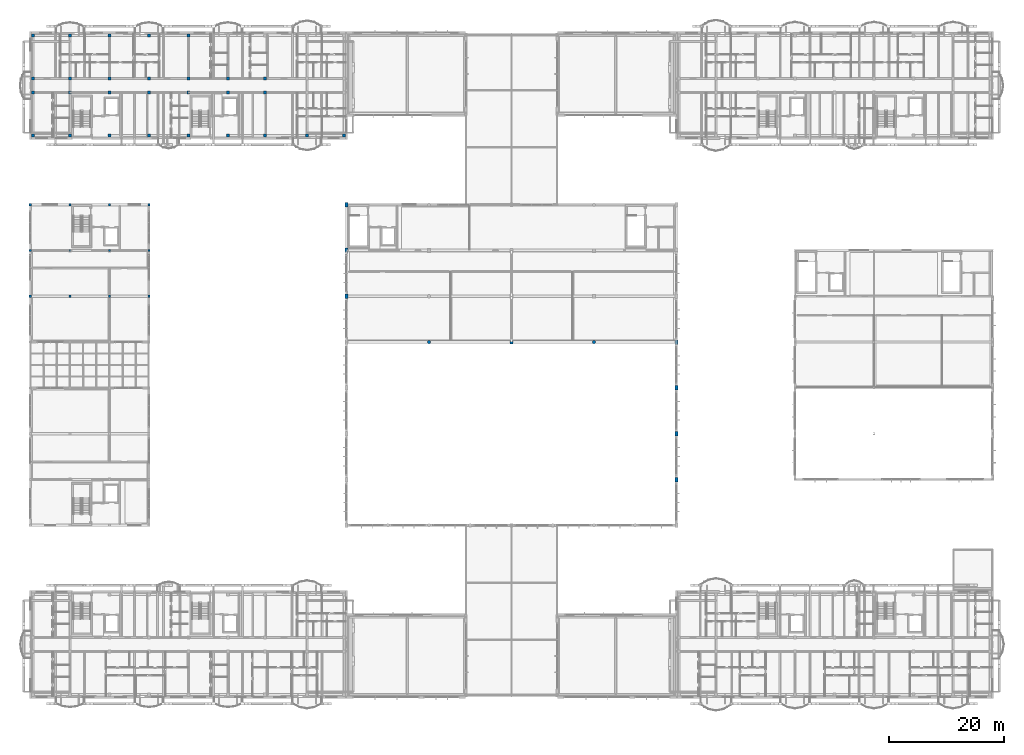
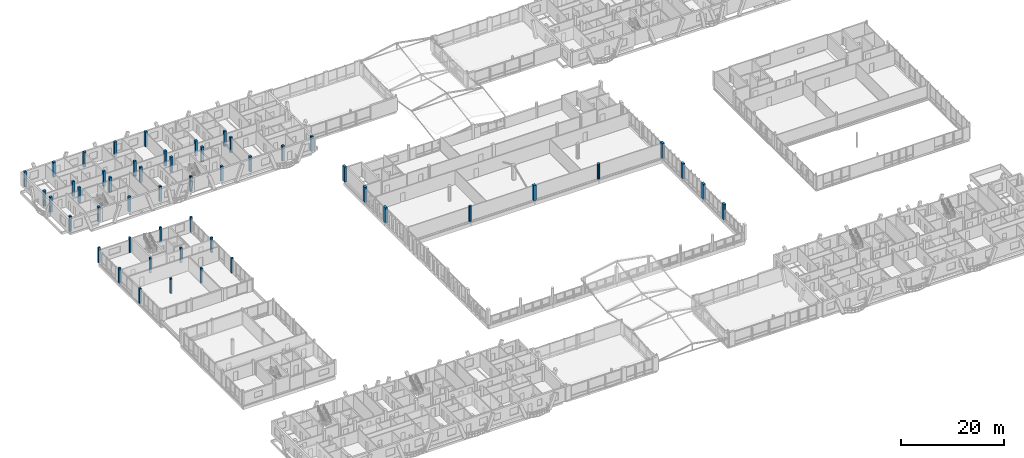
# One storey, part 6 of 189: 50 columns.
"""IFC4 building model written with IfcOpenShell, lengths in metres."""

from ifc_helpers import new_model, si_unit, direction, frame, origin, origin_2d, place, context, subcontext, project, spatial, rectangle, circle, extrude, material, material_profile, profile_set, type_object, element, save


model = new_model("IFC4")

# Units and contexts
model_context = context("Model", 3, precision=1e-05, world=origin(), true_north=direction((0.0, 1.0)))
body_context = subcontext(model_context, "Body", "Model", "MODEL_VIEW")
ifc_project = project(units=[si_unit("LENGTHUNIT", "METRE"), si_unit("AREAUNIT", "SQUARE_METRE"), si_unit("VOLUMEUNIT", "CUBIC_METRE"), si_unit("PLANEANGLEUNIT", "RADIAN"), si_unit("MASSUNIT", "GRAM", prefix="KILO")], contexts=[model_context])

# Site, building, storey
site_placement = place(None, origin())
site = spatial("IfcSite", under=ifc_project, at=site_placement, CompositionType="ELEMENT")
building_placement = place(site_placement, origin())
building = spatial("IfcBuilding", under=site, at=building_placement, Name="Zavelmont Quarter", CompositionType="ELEMENT")
storey_placement = place(building_placement, frame((0.0, 0.0, 4.39990234375)))
storey = spatial("IfcBuildingStorey", under=building, at=storey_placement, Name="L01", CompositionType="ELEMENT", Elevation=4.39990234375)

# Columns
ifc_material_1 = material(Name="Concrete C40/50", Category="concrete")
ifc_material_profile_1 = material_profile(ifc_material_1, rectangle(XDim=0.60009765625, YDim=0.60009765625, at=origin_2d()), Name="RC600X600")
ifc_profile_set_1 = profile_set([ifc_material_profile_1], Name="Concrete C40/50")
column_type_1 = type_object("IfcColumnType", Name="CL01", PredefinedType="COLUMN", material=ifc_profile_set_1)
column_placement = place(storey_placement, frame((84.0, 62.0, 0.0), z_axis=(0.0, 0.0, 1.0), x_axis=(1.0, 0.0, 0.0)))
element("IfcColumn", 1, at=column_placement, inside=storey, type_object=column_type_1, Name="L01 column CL01 at 13/K", PredefinedType="COLUMN", context=body_context, shape_type="SweptSolid", body=[
    extrude(rectangle(XDim=0.60009765625, YDim=0.60009765625, at=origin_2d()), origin(), (0.0, 0.0, 1.0), 3.60009765625),
])
ifc_material_profile_2 = material_profile(ifc_material_1, rectangle(XDim=0.5, YDim=0.5, at=origin_2d()), Name="RC500X500")
ifc_profile_set_2 = profile_set([ifc_material_profile_2], Name="Concrete C40/50")
column_type_2 = type_object("IfcColumnType", Name="CL03", PredefinedType="COLUMN", material=ifc_profile_set_2)
for number, where, z_axis, x_axis, name in (
    (2, (0.43994140625, 98.0400390625, 0.0), (0.0, 0.0, 1.0), (1.0, 0.0, 0.0), "L01 column CL03 at 1/P"),
    (3, (0.43994140625, 105.60009765625, 0.0), (0.0, 0.0, 1.0), (1.0, 0.0, 0.0), "L01 column CL03 at 1/Q"),
    (4, (0.43994140625, 108.0, 0.0), (0.0, 0.0, 1.0), (1.0, 0.0, 0.0), "L01 column CL03 at 1/R"),
    (5, (0.43994140625, 115.56005859375, 0.0), (0.0, 0.0, 1.0), (1.0, 0.0, 0.0), "L01 column CL03 at 1/S"),
    (6, (6.89990234375, 98.0400390625, 0.0), (0.0, 0.0, 1.0), (1.0, 0.0, 0.0), "L01 column CL03 at 2/P"),
    (7, (6.89990234375, 105.60009765625, 0.0), (0.0, 0.0, 1.0), (1.0, 0.0, 0.0), "L01 column CL03 at 2/Q"),
    (8, (6.89990234375, 108.0, 0.0), (0.0, 0.0, 1.0), (1.0, 0.0, 0.0), "L01 column CL03 at 2/R"),
    (9, (6.89990234375, 115.56005859375, 0.0), (0.0, 0.0, 1.0), (1.0, 0.0, 0.0), "L01 column CL03 at 2/S"),
    (10, (13.800048828125, 98.0400390625, 0.0), (0.0, 0.0, 1.0), (1.0, 0.0, 0.0), "L01 column CL03 at 3/P"),
    (11, (13.800048828125, 105.60009765625, 0.0), (0.0, 0.0, 1.0), (1.0, 0.0, 0.0), "L01 column CL03 at 3/Q"),
    (12, (13.800048828125, 108.0, 0.0), (0.0, 0.0, 1.0), (1.0, 0.0, 0.0), "L01 column CL03 at 3/R"),
    (13, (13.800048828125, 115.56005859375, 0.0), (0.0, 0.0, 1.0), (1.0, 0.0, 0.0), "L01 column CL03 at 3/S"),
    (14, (20.699951171875, 98.0400390625, 0.0), (0.0, 0.0, 1.0), (1.0, 0.0, 0.0), "L01 column CL03 at 4/P"),
    (15, (20.699951171875, 105.60009765625, 0.0), (0.0, 0.0, 1.0), (1.0, 0.0, 0.0), "L01 column CL03 at 4/Q"),
    (16, (20.699951171875, 108.0, 0.0), (0.0, 0.0, 1.0), (1.0, 0.0, 0.0), "L01 column CL03 at 4/R"),
    (17, (20.699951171875, 115.56005859375, 0.0), (0.0, 0.0, 1.0), (1.0, 0.0, 0.0), "L01 column CL03 at 4/S"),
    (18, (27.60009765625, 98.0400390625, 0.0), (0.0, 0.0, 1.0), (1.0, 0.0, 0.0), "L01 column CL03 at 5/P"),
    (19, (27.60009765625, 105.60009765625, 0.0), (0.0, 0.0, 1.0), (1.0, 0.0, 0.0), "L01 column CL03 at 5/Q"),
    (20, (27.60009765625, 108.0, 0.0), (0.0, 0.0, 1.0), (1.0, 0.0, 0.0), "L01 column CL03 at 5/R"),
    (21, (27.60009765625, 115.56005859375, 0.0), (0.0, 0.0, 1.0), (1.0, 0.0, 0.0), "L01 column CL03 at 5/S"),
    (22, (34.5, 98.0400390625, 0.0), (0.0, 0.0, 1.0), (1.0, 0.0, 0.0), "L01 column CL03 at 6/P"),
    (23, (34.5, 105.60009765625, 0.0), (0.0, 0.0, 1.0), (1.0, 0.0, 0.0), "L01 column CL03 at 6/Q"),
    (24, (34.5, 108.0, 0.0), (0.0, 0.0, 1.0), (1.0, 0.0, 0.0), "L01 column CL03 at 6/R"),
    (25, (40.9599609375, 98.0400390625, 0.0), (0.0, 0.0, 1.0), (1.0, 0.0, 0.0), "L01 column CL03 at 7/P"),
    (26, (40.9599609375, 105.60009765625, 0.0), (0.0, 0.0, 1.0), (1.0, 0.0, 0.0), "L01 column CL03 at 7/Q"),
    (27, (40.9599609375, 108.0, 0.0), (0.0, 0.0, 1.0), (1.0, 0.0, 0.0), "L01 column CL03 at 7/R"),
    (28, (48.300048828125, 98.0400390625, 0.0), (0.0, 0.0, 1.0), (1.0, 0.0, 0.0), "L01 column CL03 at 8/P"),
    (29, (54.760009765625, 98.0400390625, 0.0), (0.0, 0.0, 1.0), (1.0, 0.0, 0.0), "L01 column CL03 at 9/P"),
):
    element("IfcColumn", number, at=place(storey_placement, frame(where, z_axis=z_axis, x_axis=x_axis)), inside=storey, type_object=column_type_2, Name=name, PredefinedType="COLUMN", context=body_context, shape_type="SweptSolid", body=[
        extrude(rectangle(XDim=0.5, YDim=0.5, at=origin_2d()), origin(), (0.0, 0.0, 1.0), 3.60009765625),
    ])
ifc_material_2 = material(Name="Concrete C35/45", Category="concrete")
ifc_material_profile_3 = material_profile(ifc_material_2, rectangle(XDim=0.39990234375, YDim=0.39990234375, at=origin_2d()), Name="RC400X400")
ifc_profile_set_3 = profile_set([ifc_material_profile_3], Name="Concrete C35/45")
column_type_3 = type_object("IfcColumnType", Name="CL05", PredefinedType="COLUMN", material=ifc_profile_set_3)
for number, where, z_axis, x_axis, name in (
    (30, (0.0, 70.0, 0.0), (0.0, 0.0, 1.0), (1.0, 0.0, 0.0), "L01 column CL05 at 1/L"),
    (31, (0.0, 78.0, 0.0), (0.0, 0.0, 1.0), (1.0, 0.0, 0.0), "L01 column CL05 at 1/M"),
    (32, (0.0, 86.0, 0.0), (0.0, 0.0, 1.0), (1.0, 0.0, 0.0), "L01 column CL05 at 1/N"),
    (33, (6.89990234375, 70.0, 0.0), (0.0, 0.0, 1.0), (1.0, 0.0, 0.0), "L01 column CL05 at 2/L"),
    (34, (6.89990234375, 78.0, 0.0), (0.0, 0.0, 1.0), (1.0, 0.0, 0.0), "L01 column CL05 at 2/M"),
    (35, (6.89990234375, 86.0, 0.0), (0.0, 0.0, 1.0), (1.0, 0.0, 0.0), "L01 column CL05 at 2/N"),
    (36, (13.800048828125, 70.0, 0.0), (0.0, 0.0, 1.0), (1.0, 0.0, 0.0), "L01 column CL05 at 3/L"),
    (37, (13.800048828125, 78.0, 0.0), (0.0, 0.0, 1.0), (1.0, 0.0, 0.0), "L01 column CL05 at 3/M"),
    (38, (13.800048828125, 86.0, 0.0), (0.0, 0.0, 1.0), (1.0, 0.0, 0.0), "L01 column CL05 at 3/N"),
    (39, (20.699951171875, 70.0, 0.0), (0.0, 0.0, 1.0), (1.0, 0.0, 0.0), "L01 column CL05 at 4/L"),
    (40, (20.699951171875, 78.0, 0.0), (0.0, 0.0, 1.0), (1.0, 0.0, 0.0), "L01 column CL05 at 4/M"),
    (41, (20.699951171875, 86.0, 0.0), (0.0, 0.0, 1.0), (1.0, 0.0, 0.0), "L01 column CL05 at 4/N"),
):
    element("IfcColumn", number, at=place(storey_placement, frame(where, z_axis=z_axis, x_axis=x_axis)), inside=storey, type_object=column_type_3, Name=name, PredefinedType="COLUMN", context=body_context, shape_type="SweptSolid", body=[
        extrude(rectangle(XDim=0.39990234375, YDim=0.39990234375, at=origin_2d()), origin(), (0.0, 0.0, 1.0), 3.60009765625),
    ])
ifc_material_profile_4 = material_profile(ifc_material_1, rectangle(XDim=0.5, YDim=0.800048828125, at=origin_2d()), Name="RC500X800")
ifc_profile_set_4 = profile_set([ifc_material_profile_4], Name="Concrete C40/50")
column_type_4 = type_object("IfcColumnType", Name="CL07", PredefinedType="COLUMN", material=ifc_profile_set_4)
for number, where, z_axis, x_axis, name in (
    (42, (55.199951171875, 70.0, 0.0), (0.0, 0.0, 1.0), (1.0, 0.0, 0.0), "L01 column CL07 at 9/L"),
    (43, (55.199951171875, 78.0, 0.0), (0.0, 0.0, 1.0), (1.0, 0.0, 0.0), "L01 column CL07 at 9/M"),
    (44, (55.199951171875, 86.0, 0.0), (0.0, 0.0, 1.0), (1.0, 0.0, 0.0), "L01 column CL07 at 9/N"),
    (45, (112.800048828125, 38.0, 0.0), (0.0, 0.0, 1.0), (1.0, 0.0, 0.0), "L01 column CL07 at 17/G"),
    (46, (112.800048828125, 46.0, 0.0), (0.0, 0.0, 1.0), (1.0, 0.0, 0.0), "L01 column CL07 at 17/H"),
    (47, (112.800048828125, 54.0, 0.0), (0.0, 0.0, 1.0), (1.0, 0.0, 0.0), "L01 column CL07 at 17/J"),
    (48, (112.800048828125, 62.0, 0.0), (0.0, 0.0, 1.0), (1.0, 0.0, 0.0), "L01 column CL07 at 17/K"),
):
    element("IfcColumn", number, at=place(storey_placement, frame(where, z_axis=z_axis, x_axis=x_axis)), inside=storey, type_object=column_type_4, Name=name, PredefinedType="COLUMN", context=body_context, shape_type="SweptSolid", body=[
        extrude(rectangle(XDim=0.5, YDim=0.800048828125, at=origin_2d()), origin(), (0.0, 0.0, 1.0), 3.60009765625),
    ])
ifc_material_profile_5 = material_profile(ifc_material_1, circle(Radius=0.300048828125, at=origin_2d()), Name="CHD600")
ifc_profile_set_5 = profile_set([ifc_material_profile_5], Name="Concrete C40/50")
column_type_5 = type_object("IfcColumnType", Name="CL08", PredefinedType="COLUMN", material=ifc_profile_set_5)
for number, where, z_axis, x_axis, name in (
    (49, (69.60009765625, 62.0, 0.0), (0.0, 0.0, 1.0), (1.0, 0.0, 0.0), "L01 column CL08 at 11/K"),
    (50, (98.39990234375, 62.0, 0.0), (0.0, 0.0, 1.0), (1.0, 0.0, 0.0), "L01 column CL08 at 15/K"),
):
    element("IfcColumn", number, at=place(storey_placement, frame(where, z_axis=z_axis, x_axis=x_axis)), inside=storey, type_object=column_type_5, Name=name, PredefinedType="COLUMN", context=body_context, shape_type="SweptSolid", body=[
        extrude(circle(Radius=0.300048828125, at=origin_2d()), origin(), (0.0, 0.0, 1.0), 3.60009765625),
    ])

save(model, "model.ifc")
